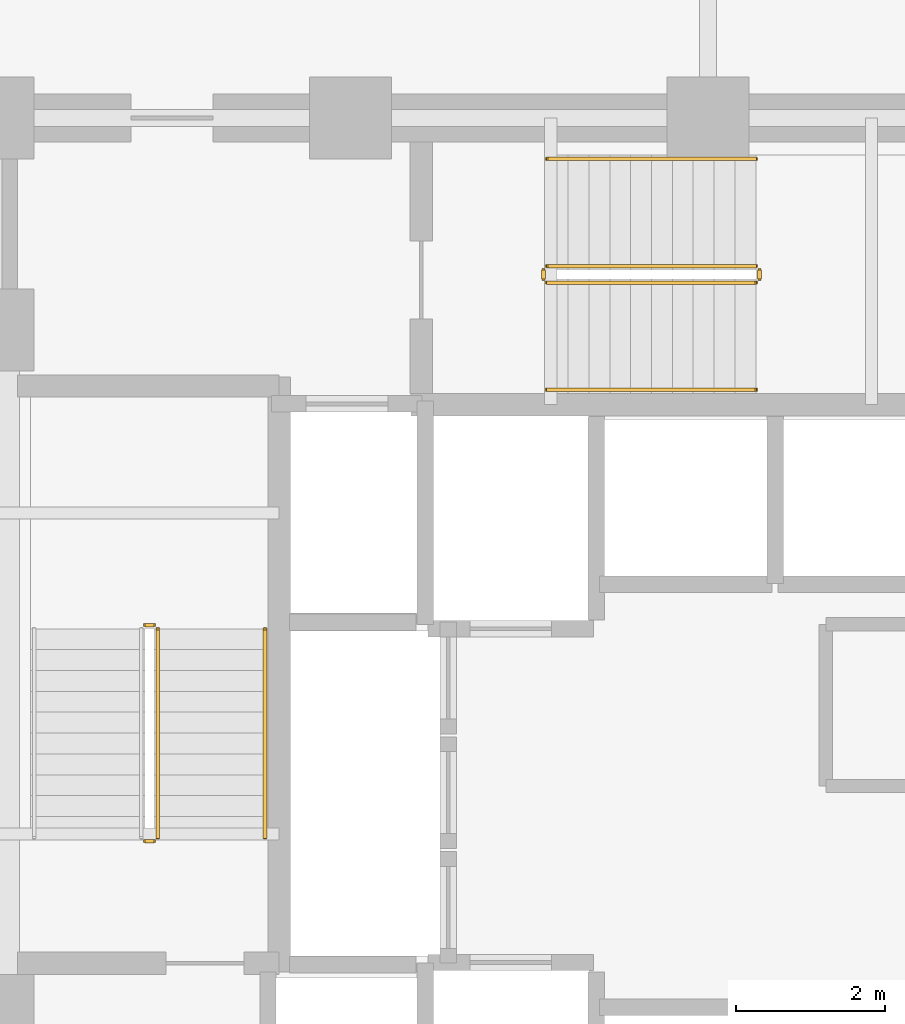
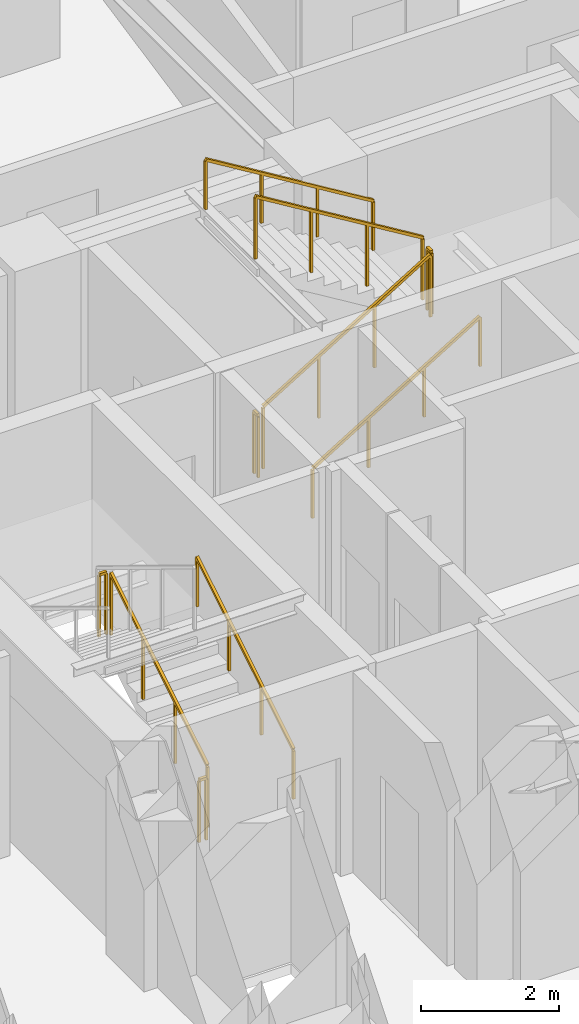
# One storey, part 28 of 30: 10 railings.
"""IFC4 building model written with IfcOpenShell, lengths in metres."""

import ifcopenshell
import ifcopenshell.guid

model = None  # the IFC model being written
_history = None  # IfcOwnerHistory: only IFC2X3 demands one
_inside = {}  # id of a spatial element -> (the spatial element, [elements in it])
_under = {}  # id of a project, library or spatial element -> (it, [spatial elements below it])
_declared = {}  # id of a project -> (the project, [libraries it declares])
_typed = {}  # id of a type object -> (the type object, [elements of that type])
_made_of = {}  # id of a material, layer set ... -> (it, [elements and type objects made of it])


def new_model(schema):
    """Start an empty IFC model of exactly this schema.

    Asked for "IFC4X3", IfcOpenShell would pick the latest addendum, in which some entities
    have other attributes; the version numbers below select the first issue.
    IFC2X3 requires an IfcOwnerHistory on every rooted entity: one is made here for all.
    """
    global model, _history
    if schema == "IFC4X3":
        model = ifcopenshell.file(schema_version=(4, 3, 0, 0))
    else:
        model = ifcopenshell.file(schema=schema)
    _inside.clear()
    _under.clear()
    _declared.clear()
    _typed.clear()
    _made_of.clear()
    _history = None
    if model.schema == "IFC2X3":
        org = make("IfcOrganization", Name="unknown")
        user = make(
            "IfcPersonAndOrganization",
            ThePerson=make("IfcPerson", FamilyName="unknown"),
            TheOrganization=org,
        )
        app = make(
            "IfcApplication",
            ApplicationDeveloper=org,
            Version="unknown",
            ApplicationFullName="unknown",
            ApplicationIdentifier="unknown",
        )
        _history = make(
            "IfcOwnerHistory",
            OwningUser=user,
            OwningApplication=app,
            ChangeAction="ADDED",
            CreationDate=0,
        )
    return model


def make(cls, **values):
    """One entity of the class cls with the attributes given. An attribute that is None is left unset."""
    return model.create_entity(
        cls, **{name: value for name, value in values.items() if value is not None}
    )


def rooted(cls, **values):
    """An entity with a GlobalId (a new one), such as an element, a storey or a relation."""
    return make(cls, GlobalId=ifcopenshell.guid.new(), OwnerHistory=_history, **values)


def si_unit(unit_type, name, prefix=None):
    """IfcSIUnit, for example si_unit("LENGTHUNIT", "METRE", prefix="MILLI")."""
    return make("IfcSIUnit", UnitType=unit_type, Prefix=prefix, Name=name)


def assignment(units):
    """IfcUnitAssignment: the units of a project."""
    return None if units is None else make("IfcUnitAssignment", Units=units)


def point(xyz):
    """IfcCartesianPoint."""
    return None if xyz is None else make("IfcCartesianPoint", Coordinates=xyz)


def direction(xyz):
    """IfcDirection."""
    return None if xyz is None else make("IfcDirection", DirectionRatios=xyz)


def frame(location, z_axis=None, x_axis=None):
    """IfcAxis2Placement3D, a coordinate frame: its origin and axes. An axis left out is left unset."""
    return make(
        "IfcAxis2Placement3D",
        Location=point(location),
        Axis=direction(z_axis),
        RefDirection=direction(x_axis),
    )


def frame_2d(location, x_axis=None):
    """IfcAxis2Placement2D, a coordinate frame in the plane: its origin and x axis."""
    return make(
        "IfcAxis2Placement2D", Location=point(location), RefDirection=direction(x_axis)
    )


def origin():
    """The frame at (0, 0, 0) with its axes left unset."""
    return frame((0.0, 0.0, 0.0))


def origin_2d():
    """The frame at (0, 0) in the plane with its x axis left unset."""
    return frame_2d((0.0, 0.0))


def place(relative_to, where):
    """IfcLocalPlacement: puts the frame where relative to a parent placement (None: the world)."""
    return make(
        "IfcLocalPlacement", PlacementRelTo=relative_to, RelativePlacement=where
    )


def context(
    kind, dimensions, precision=None, world=None, true_north=None, identifier=None
):
    """IfcGeometricRepresentationContext, for example the 3D "Model" context."""
    return make(
        "IfcGeometricRepresentationContext",
        ContextIdentifier=identifier,
        ContextType=kind,
        CoordinateSpaceDimension=dimensions,
        Precision=precision,
        WorldCoordinateSystem=world,
        TrueNorth=true_north,
    )


def subcontext(parent, identifier, kind, view, scale=None):
    """IfcGeometricRepresentationSubContext, for example "Body" below "Model"."""
    return make(
        "IfcGeometricRepresentationSubContext",
        ContextIdentifier=identifier,
        ContextType=kind,
        ParentContext=parent,
        TargetScale=scale,
        TargetView=view,
    )


def project(units=None, contexts=None):
    """IfcProject with its units and contexts."""
    return rooted(
        "IfcProject",
        Name="project",
        RepresentationContexts=contexts,
        UnitsInContext=assignment(units),
    )


def spatial(cls, under=None, at=None, **own):
    """A site, building, storey or space (cls), placed at a placement, below another one or the project."""
    s = rooted(cls, ObjectPlacement=at, **own)
    if under is not None:
        _under.setdefault(under.id(), (under, []))[1].append(s)
    return s


def profile(cls, at=None, kind="AREA", **sizes):
    """A parametric profile (cls). Its sizes go by their IFC names, for example OverallWidth=200.0."""
    return make(cls, ProfileType=kind, Position=at, **sizes)


def rectangle(**sizes):
    """IfcRectangleProfileDef."""
    return profile("IfcRectangleProfileDef", **sizes)


def extrude(swept, where, along, depth):
    """IfcExtrudedAreaSolid: the profile swept, set in the frame where, extruded along a direction by depth."""
    return make(
        "IfcExtrudedAreaSolid",
        SweptArea=swept,
        Position=where,
        ExtrudedDirection=direction(along),
        Depth=depth,
    )


def shape(context_of_items, identifier, shape_type, items):
    """IfcShapeRepresentation: the items that make up one representation, for example the "Body"."""
    return make(
        "IfcShapeRepresentation",
        ContextOfItems=context_of_items,
        RepresentationIdentifier=identifier,
        RepresentationType=shape_type,
        Items=items,
    )


def material(Name=None, Category=None):
    """IfcMaterial."""
    return make("IfcMaterial", Name=Name, Category=Category)


def made_of(thing, what):
    """Note that an element or type object is made of a material, layer set ...; save() writes the relation."""
    if what is not None:
        _made_of.setdefault(what.id(), (what, []))[1].append(thing)
    return thing


def type_object(cls, material=None, **own):
    """A type object (cls), such as IfcWallType, which elements share."""
    return made_of(rooted(cls, **own), material)


def element(
    cls,
    number,
    at=None,
    inside=None,
    cuts=None,
    type_object=None,
    material=None,
    context=None,
    identifier="Body",
    shape_type=None,
    held_by="IfcProductDefinitionShape",
    body=None,
    shapes=None,
    **own,
):
    """One element of the class cls, such as IfcWall. Its Tag is "e" and its number.

    at: its placement. inside: the storey or other place that contains it. cuts: it is an
    opening in that element (IfcRelVoidsElement). A single representation is given by context,
    identifier, shape_type and body (its items); several are given by shapes. held_by: the class
    of the entity that holds the representations. save() writes the other relations.
    """
    e = rooted(cls, Tag="e%d" % number, ObjectPlacement=at, **own)
    if body is not None:
        shapes = [shape(context, identifier, shape_type, body)]
    if shapes is not None:
        e.Representation = make(held_by, Representations=shapes)
    if inside is not None:
        _inside.setdefault(inside.id(), (inside, []))[1].append(e)
    if cuts is not None:
        rooted(
            "IfcRelVoidsElement", RelatingBuildingElement=cuts, RelatedOpeningElement=e
        )
    if type_object is not None:
        _typed.setdefault(type_object.id(), (type_object, []))[1].append(e)
    return made_of(e, material)


def aggregate(whole, parts):
    """IfcRelAggregates: a whole, such as a stair, and the parts it consists of."""
    return rooted("IfcRelAggregates", RelatingObject=whole, RelatedObjects=parts)


def save(model, path):
    """Write the relations noted so far, then the file.

    IfcRelAggregates (storeys below a building ...), IfcRelContainedInSpatialStructure (elements
    in a storey), IfcRelDefinesByType, IfcRelAssociatesMaterial and IfcRelDeclares: one each for
    every whole, place, type object, material and project.
    """
    for whole, parts in _under.values():
        aggregate(whole, parts)
    for where, things in _inside.values():
        rooted(
            "IfcRelContainedInSpatialStructure",
            RelatedElements=things,
            RelatingStructure=where,
        )
    for kind, things in _typed.values():
        rooted("IfcRelDefinesByType", RelatedObjects=things, RelatingType=kind)
    for what, things in _made_of.values():
        rooted("IfcRelAssociatesMaterial", RelatedObjects=things, RelatingMaterial=what)
    for by, libraries in _declared.values():
        rooted("IfcRelDeclares", RelatingContext=by, RelatedDefinitions=libraries)
    model.write(path)


model = new_model("IFC4")

# Units and contexts
model_context = context("Model", 3, precision=1e-05, world=origin(), true_north=direction((0.0, 1.0)))
body_context = subcontext(model_context, "Body", "Model", "MODEL_VIEW")
ifc_project = project(units=[si_unit("LENGTHUNIT", "METRE"), si_unit("AREAUNIT", "SQUARE_METRE"), si_unit("VOLUMEUNIT", "CUBIC_METRE"), si_unit("PLANEANGLEUNIT", "RADIAN"), si_unit("MASSUNIT", "GRAM", prefix="KILO")], contexts=[model_context])

# Site, building, storey
site_placement = place(None, origin())
site = spatial("IfcSite", under=ifc_project, at=site_placement, CompositionType="ELEMENT")
building_placement = place(site_placement, origin())
building = spatial("IfcBuilding", under=site, at=building_placement, Name="Vantalir Tower", CompositionType="ELEMENT")
storey_placement = place(building_placement, frame((0.0, 0.0, 49.5)))
storey = spatial("IfcBuildingStorey", under=building, at=storey_placement, Name="L11", CompositionType="ELEMENT", Elevation=49.5)

# Railings
ifc_material_1 = material(Name="Anodised aluminium and stainless steel guard", Category="steel")
railing_type_1 = type_object("IfcRailingType", Name="RAL-GUARD-1120", PredefinedType="GUARDRAIL", material=ifc_material_1)
railing_1_placement = place(storey_placement, frame((24.110107421875, 22.7900390625, 0.17041015625)))
element("IfcRailing", 1, at=railing_1_placement, inside=storey, type_object=railing_type_1, Name="L11 ST1 stair guard 1", PredefinedType="GUARDRAIL", context=body_context, shape_type="SweptSolid", body=[
    extrude(rectangle(XDim=0.048095703125, YDim=0.048095703125, at=origin_2d()), frame((0.0, 0.0, 1.09619140625), z_axis=(0.0, 0.854169791009, 0.51999420009), x_axis=(-1.0, 0.0, 0.0)), (0.0, 0.0, 1.0), 3.278076171875),
    extrude(rectangle(XDim=0.0419921875, YDim=0.0419921875, at=origin_2d()), origin(), (0.0, 0.0, 1.0), 1.072021484375),
    extrude(rectangle(XDim=0.0419921875, YDim=0.0419921875, at=origin_2d()), frame((0.0, 0.933349609375, 0.568115234375)), (0.0, 0.0, 1.0), 1.072021484375),
    extrude(rectangle(XDim=0.0419921875, YDim=0.0419921875, at=origin_2d()), frame((0.0, 1.86669921875, 1.136474609375)), (0.0, 0.0, 1.0), 1.072021484375),
    extrude(rectangle(XDim=0.0419921875, YDim=0.0419921875, at=origin_2d()), frame((0.0, 2.800048828125, 1.70458984375)), (0.0, 0.0, 1.0), 1.072021484375),
])
for number, where, name in (
    (2, (24.06005859375, 25.639892578125, 1.875), "L11 ST1 stair guard 2"),
    (3, (24.06005859375, 22.739990234375, 0.0), "L11 ST1 stair guard 4"),
):
    element("IfcRailing", number, at=place(storey_placement, frame(where)), inside=storey, type_object=railing_type_1, Name=name, PredefinedType="GUARDRAIL", context=body_context, shape_type="SweptSolid", body=[
        extrude(rectangle(XDim=0.048095703125, YDim=0.048095703125, at=origin_2d()), frame((0.0, 0.0, 1.09619140625), z_axis=(-1.0, 0.0, 0.0), x_axis=(0.0, -1.0, 0.0)), (0.0, 0.0, 1.0), 0.1201171875),
        extrude(rectangle(XDim=0.0419921875, YDim=0.0419921875, at=origin_2d()), origin(), (0.0, 0.0, 1.0), 1.072021484375),
        extrude(rectangle(XDim=0.0419921875, YDim=0.0419921875, at=origin_2d()), frame((-0.1201171875, 0.0, 0.0)), (0.0, 0.0, 1.0), 1.072021484375),
    ])
railing_2_placement = place(storey_placement, frame((29.340087890625, 30.239990234375, 0.17041015625)))
element("IfcRailing", 4, at=railing_2_placement, inside=storey, type_object=railing_type_1, Name="L11 ST3 stair guard 1", PredefinedType="GUARDRAIL", context=body_context, shape_type="SweptSolid", body=[
    extrude(rectangle(XDim=0.048095703125, YDim=0.048095703125, at=origin_2d()), frame((0.0, 0.0, 1.09619140625), z_axis=(0.854149651119, 0.0, 0.520027281489), x_axis=(0.0, 1.0, 0.0)), (0.0, 0.0, 1.0), 3.27783203125),
    extrude(rectangle(XDim=0.0419921875, YDim=0.0419921875, at=origin_2d()), origin(), (0.0, 0.0, 1.0), 1.072021484375),
    extrude(rectangle(XDim=0.0419921875, YDim=0.0419921875, at=origin_2d()), frame((0.933349609375, 0.0, 0.568115234375)), (0.0, 0.0, 1.0), 1.072021484375),
    extrude(rectangle(XDim=0.0419921875, YDim=0.0419921875, at=origin_2d()), frame((1.866455078125, 0.0, 1.136474609375)), (0.0, 0.0, 1.0), 1.072021484375),
    extrude(rectangle(XDim=0.0419921875, YDim=0.0419921875, at=origin_2d()), frame((2.7998046875, 0.0, 1.70458984375)), (0.0, 0.0, 1.0), 1.072021484375),
])
railing_3_placement = place(storey_placement, frame((32.18994140625, 30.2900390625, 1.875)))
element("IfcRailing", 5, at=railing_3_placement, inside=storey, type_object=railing_type_1, Name="L11 ST3 stair guard 2", PredefinedType="GUARDRAIL", context=body_context, shape_type="SweptSolid", body=[
    extrude(rectangle(XDim=0.048095703125, YDim=0.048095703125, at=origin_2d()), frame((0.0, 0.0, 1.09619140625), z_axis=(0.0, 1.0, 0.0), x_axis=(-1.0, 0.0, 0.0)), (0.0, 0.0, 1.0), 0.119873046875),
    extrude(rectangle(XDim=0.0419921875, YDim=0.0419921875, at=origin_2d()), origin(), (0.0, 0.0, 1.0), 1.072021484375),
    extrude(rectangle(XDim=0.0419921875, YDim=0.0419921875, at=origin_2d()), frame((0.0, 0.119873046875, 0.0)), (0.0, 0.0, 1.0), 1.072021484375),
])
railing_4_placement = place(storey_placement, frame((32.139892578125, 30.4599609375, 2.04541015625)))
element("IfcRailing", 6, at=railing_4_placement, inside=storey, type_object=railing_type_1, Name="L11 ST3 stair guard 3", PredefinedType="GUARDRAIL", context=body_context, shape_type="SweptSolid", body=[
    extrude(rectangle(XDim=0.048095703125, YDim=0.048095703125, at=origin_2d()), frame((0.0, 0.0, 1.09619140625), z_axis=(-0.854149651119, 0.0, 0.520027281489), x_axis=(0.0, -1.0, 0.0)), (0.0, 0.0, 1.0), 3.27783203125),
    extrude(rectangle(XDim=0.0419921875, YDim=0.0419921875, at=origin_2d()), origin(), (0.0, 0.0, 1.0), 1.072021484375),
    extrude(rectangle(XDim=0.0419921875, YDim=0.0419921875, at=origin_2d()), frame((-0.933349609375, 0.0, 0.568115234375)), (0.0, 0.0, 1.0), 1.072021484375),
    extrude(rectangle(XDim=0.0419921875, YDim=0.0419921875, at=origin_2d()), frame((-1.866455078125, 0.0, 1.136474609375)), (0.0, 0.0, 1.0), 1.072021484375),
    extrude(rectangle(XDim=0.0419921875, YDim=0.0419921875, at=origin_2d()), frame((-2.7998046875, 0.0, 1.70458984375)), (0.0, 0.0, 1.0), 1.072021484375),
])
railing_5_placement = place(storey_placement, frame((29.2900390625, 30.2900390625, 0.0)))
element("IfcRailing", 7, at=railing_5_placement, inside=storey, type_object=railing_type_1, Name="L11 ST3 stair guard 4", PredefinedType="GUARDRAIL", context=body_context, shape_type="SweptSolid", body=[
    extrude(rectangle(XDim=0.048095703125, YDim=0.048095703125, at=origin_2d()), frame((0.0, 0.0, 1.09619140625), z_axis=(0.0, 1.0, 0.0), x_axis=(-1.0, 0.0, 0.0)), (0.0, 0.0, 1.0), 0.119873046875),
    extrude(rectangle(XDim=0.0419921875, YDim=0.0419921875, at=origin_2d()), origin(), (0.0, 0.0, 1.0), 1.072021484375),
    extrude(rectangle(XDim=0.0419921875, YDim=0.0419921875, at=origin_2d()), frame((0.0, 0.119873046875, 0.0)), (0.0, 0.0, 1.0), 1.072021484375),
])
ifc_material_2 = material(Name="Brushed stainless steel tubular handrail", Category="steel")
railing_type_2 = type_object("IfcRailingType", Name="RAL-HANDRAIL-900", PredefinedType="HANDRAIL", material=ifc_material_2)
railing_6_placement = place(storey_placement, frame((25.550048828125, 22.7900390625, 0.17041015625)))
element("IfcRailing", 8, at=railing_6_placement, inside=storey, type_object=railing_type_2, Name="L11 ST1 stair handrail 1", PredefinedType="HANDRAIL", context=body_context, shape_type="SweptSolid", body=[
    extrude(rectangle(XDim=0.048095703125, YDim=0.048095703125, at=origin_2d()), frame((0.0, 0.0, 0.8759765625), z_axis=(0.0, 0.854169791009, 0.51999420009), x_axis=(-1.0, 0.0, 0.0)), (0.0, 0.0, 1.0), 3.278076171875),
    extrude(rectangle(XDim=0.0419921875, YDim=0.0419921875, at=origin_2d()), origin(), (0.0, 0.0, 1.0), 0.851806640625),
    extrude(rectangle(XDim=0.0419921875, YDim=0.0419921875, at=origin_2d()), frame((0.0, 0.933349609375, 0.568115234375)), (0.0, 0.0, 1.0), 0.851806640625),
    extrude(rectangle(XDim=0.0419921875, YDim=0.0419921875, at=origin_2d()), frame((0.0, 1.86669921875, 1.136474609375)), (0.0, 0.0, 1.0), 0.851806640625),
    extrude(rectangle(XDim=0.0419921875, YDim=0.0419921875, at=origin_2d()), frame((0.0, 2.800048828125, 1.70458984375)), (0.0, 0.0, 1.0), 0.851806640625),
])
railing_7_placement = place(storey_placement, frame((29.340087890625, 28.800048828125, 0.17041015625)))
element("IfcRailing", 9, at=railing_7_placement, inside=storey, type_object=railing_type_2, Name="L11 ST3 stair handrail 1", PredefinedType="HANDRAIL", context=body_context, shape_type="SweptSolid", body=[
    extrude(rectangle(XDim=0.048095703125, YDim=0.048095703125, at=origin_2d()), frame((0.0, 0.0, 0.8759765625), z_axis=(0.854149651119, 0.0, 0.520027281489), x_axis=(0.0, 1.0, 0.0)), (0.0, 0.0, 1.0), 3.27783203125),
    extrude(rectangle(XDim=0.0419921875, YDim=0.0419921875, at=origin_2d()), origin(), (0.0, 0.0, 1.0), 0.851806640625),
    extrude(rectangle(XDim=0.0419921875, YDim=0.0419921875, at=origin_2d()), frame((0.933349609375, 0.0, 0.568115234375)), (0.0, 0.0, 1.0), 0.851806640625),
    extrude(rectangle(XDim=0.0419921875, YDim=0.0419921875, at=origin_2d()), frame((1.866455078125, 0.0, 1.136474609375)), (0.0, 0.0, 1.0), 0.851806640625),
    extrude(rectangle(XDim=0.0419921875, YDim=0.0419921875, at=origin_2d()), frame((2.7998046875, 0.0, 1.70458984375)), (0.0, 0.0, 1.0), 0.851806640625),
])
railing_8_placement = place(storey_placement, frame((32.139892578125, 31.89990234375, 2.04541015625)))
element("IfcRailing", 10, at=railing_8_placement, inside=storey, type_object=railing_type_2, Name="L11 ST3 stair handrail 2", PredefinedType="HANDRAIL", context=body_context, shape_type="SweptSolid", body=[
    extrude(rectangle(XDim=0.048095703125, YDim=0.048095703125, at=origin_2d()), frame((0.0, 0.0, 0.8759765625), z_axis=(-0.854149651119, 0.0, 0.520027281489), x_axis=(0.0, -1.0, 0.0)), (0.0, 0.0, 1.0), 3.27783203125),
    extrude(rectangle(XDim=0.0419921875, YDim=0.0419921875, at=origin_2d()), origin(), (0.0, 0.0, 1.0), 0.851806640625),
    extrude(rectangle(XDim=0.0419921875, YDim=0.0419921875, at=origin_2d()), frame((-0.933349609375, 0.0, 0.568115234375)), (0.0, 0.0, 1.0), 0.851806640625),
    extrude(rectangle(XDim=0.0419921875, YDim=0.0419921875, at=origin_2d()), frame((-1.866455078125, 0.0, 1.136474609375)), (0.0, 0.0, 1.0), 0.851806640625),
    extrude(rectangle(XDim=0.0419921875, YDim=0.0419921875, at=origin_2d()), frame((-2.7998046875, 0.0, 1.70458984375)), (0.0, 0.0, 1.0), 0.851806640625),
])

save(model, "model.ifc")
